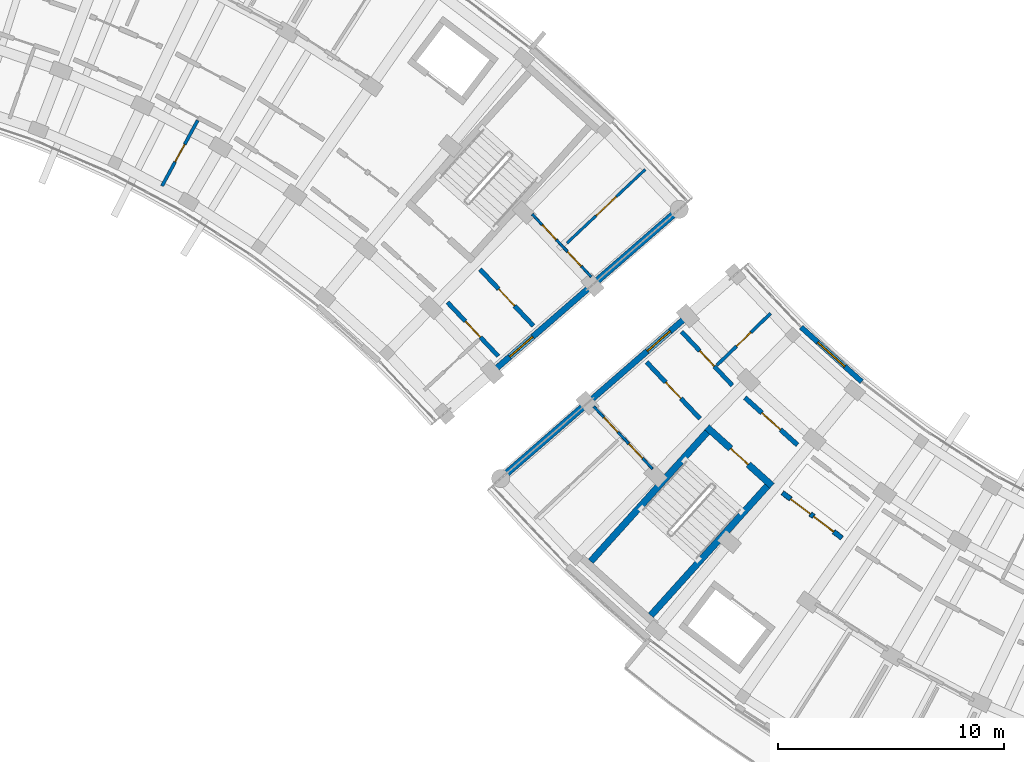
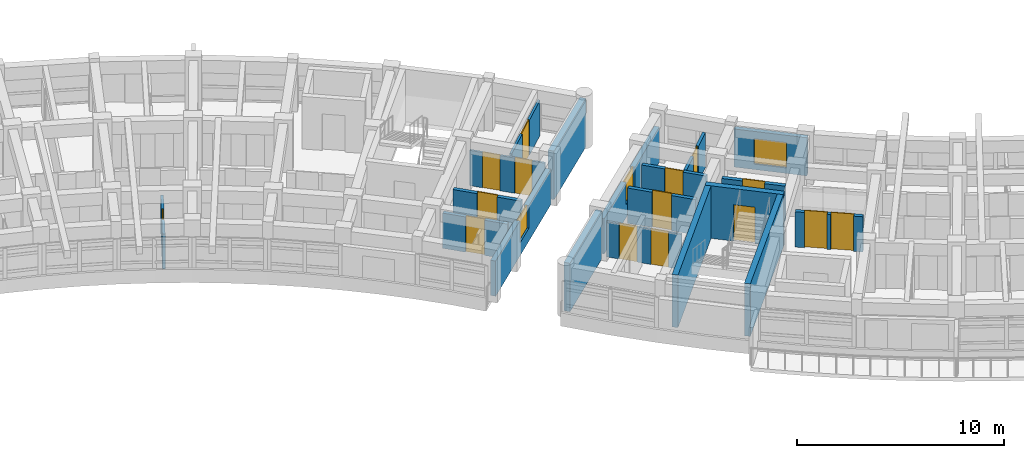
# One storey, part 49 of 70: 19 walls, 15 doors, 3 windows, 18 openings.
"""IFC4 building model written with IfcOpenShell, lengths in metres."""

from ifc_helpers import new_model, si_unit, direction, frame, frame_2d, origin, place, context, subcontext, project, spatial, rectangle, extrude, material, layer, layer_set, type_object, element, fill, save


model = new_model("IFC4")

# Units and contexts
model_context = context("Model", 3, precision=1e-05, world=origin(), true_north=direction((0.0, 1.0)))
body_context = subcontext(model_context, "Body", "Model", "MODEL_VIEW")
ifc_project = project(units=[si_unit("LENGTHUNIT", "METRE"), si_unit("AREAUNIT", "SQUARE_METRE"), si_unit("VOLUMEUNIT", "CUBIC_METRE"), si_unit("PLANEANGLEUNIT", "RADIAN"), si_unit("MASSUNIT", "GRAM", prefix="KILO")], contexts=[model_context])

# Site, building, storey
site_placement = place(None, origin())
site = spatial("IfcSite", under=ifc_project, at=site_placement, CompositionType="ELEMENT")
building_placement = place(site_placement, origin())
building = spatial("IfcBuilding", under=site, at=building_placement, Name="Zimvara Arc Housing Community", CompositionType="ELEMENT")
storey_placement = place(building_placement, frame((0.0, 0.0, 8.10009765625)))
storey = spatial("IfcBuildingStorey", under=building, at=storey_placement, Name="L02", CompositionType="ELEMENT", Elevation=8.10009765625)

# Wall, opening, window
ifc_material_1 = material(Name="Board-Marked Fair-Faced Concrete C35/45", Category="concrete")
ifc_layer_1 = layer(ifc_material_1, 0.22998046875)
ifc_layer_set_1 = layer_set([ifc_layer_1], Name="Board-Marked Fair-Faced Concrete C35/45")
wall_type_1 = type_object("IfcWallType", Name="EWL-CONC-230", PredefinedType="SOLIDWALL", material=ifc_layer_set_1)
wall_1_placement = place(storey_placement, frame((94.8203125, 77.92333984375, 0.0), z_axis=(0.0, 0.0, 1.0), x_axis=(0.743385092197, -0.668863666751, 0.0)))
wall_1 = element("IfcWall", 1, at=wall_1_placement, inside=storey, type_object=wall_type_1, Name="ewall:blkC:L02:in:b1", PredefinedType="SOLIDWALL", context=body_context, shape_type="SweptSolid", body=[
    extrude(rectangle(XDim=3.603759765625, YDim=0.22998046875, at=frame_2d((1.8017578125, 0.0))), origin(), (0.0, 0.0, 1.0), 2.25),
])
opening_1_placement = place(wall_1_placement, frame((1.001708984375, 0.0, 0.320068359375)))
opening_1 = element("IfcOpeningElement", 2, at=opening_1_placement, cuts=wall_1, Name="Opening W03", PredefinedType="OPENING", context=body_context, shape_type="SweptSolid", body=[
    extrude(rectangle(XDim=1.60009765625, YDim=1.5, at=frame_2d((0.800048828125, 0.75))), frame((0.0, 0.125, 0.0), z_axis=(0.0, -1.0, 0.0), x_axis=(1.0, 0.0, 0.0)), (0.0, 0.0, 1.0), 0.25),
])
ifc_material_2 = material(Name="Solar Control Low-E Double Glazing", Category="glass")
window_type_1 = type_object("IfcWindowType", Name="WIN-RES-1600x1500", PartitioningType="DOUBLE_PANEL_VERTICAL", PredefinedType="WINDOW", material=ifc_material_2)
window_1_placement = place(opening_1_placement, origin())
window_1 = element("IfcWindow", 3, at=window_1_placement, inside=storey, type_object=window_type_1, Name="win:blkC:L02:in:b1", OverallHeight=1.5, OverallWidth=1.60009765625, PartitioningType="DOUBLE_PANEL_VERTICAL", PredefinedType="WINDOW", context=body_context, shape_type="SweptSolid", body=[
    extrude(rectangle(XDim=1.60009765625, YDim=1.5, at=frame_2d((0.800048828125, 0.75))), frame((0.0, 0.030029296875, 0.0), z_axis=(0.0, -1.0, 0.0), x_axis=(1.0, 0.0, 0.0)), (0.0, 0.0, 1.0), 0.06005859375),
])
fill(opening_1, window_1)

ifc_material_3 = material(Name="Board-Marked Fair-Faced Concrete C35/45", Category="concrete")
ifc_layer_2 = layer(ifc_material_3, 0.264892578125)
ifc_layer_set_2 = layer_set([ifc_layer_2], Name="Board-Marked Fair-Faced Concrete C35/45")
wall_type_2 = type_object("IfcWallType", Name="EWL-CONC-265", PredefinedType="SOLIDWALL", material=ifc_layer_set_2)
wall_2_placement = place(storey_placement, frame((79.233642578125, 74.2587890625, 0.0), z_axis=(0.0, 0.0, 1.0), x_axis=(0.754717680958, 0.656049710044, 0.0)))
wall_2 = element("IfcWall", 4, at=wall_2_placement, inside=storey, type_object=wall_type_2, Name="ewall:blkB:L02:gN", PredefinedType="SOLIDWALL", context=body_context, shape_type="SweptSolid", body=[
    extrude(rectangle(XDim=8.199951171875, YDim=0.264892578125, at=frame_2d((4.10009765625, 0.0))), origin(), (0.0, 0.0, 1.0), 2.079833984375),
])
opening_2_placement = place(wall_2_placement, frame((3.590087890625, 0.0, 0.75)))
opening_2 = element("IfcOpeningElement", 5, at=opening_2_placement, cuts=wall_2, Name="Opening W12", PredefinedType="OPENING", context=body_context, shape_type="SweptSolid", body=[
    extrude(rectangle(XDim=1.35009765625, YDim=1.35009765625, at=frame_2d((0.675048828125, 0.675048828125))), frame((0.0, 0.142333984375, 0.0), z_axis=(0.0, -1.0, 0.0), x_axis=(1.0, 0.0, 0.0)), (0.0, 0.0, 1.0), 0.284912109375),
])
ifc_material_4 = material(Name="Solar Control Low-E Double Glazing", Category="glass")
window_type_2 = type_object("IfcWindowType", Name="WIN-RES-1350x1350", PartitioningType="DOUBLE_PANEL_VERTICAL", PredefinedType="WINDOW", material=ifc_material_4)
window_2_placement = place(opening_2_placement, origin())
window_2 = element("IfcWindow", 6, at=window_2_placement, inside=storey, type_object=window_type_2, Name="win:blkB:L02:gN:w", OverallHeight=1.35009765625, OverallWidth=1.35009765625, PartitioningType="DOUBLE_PANEL_VERTICAL", PredefinedType="WINDOW", context=body_context, shape_type="SweptSolid", body=[
    extrude(rectangle(XDim=1.35009765625, YDim=1.35009765625, at=frame_2d((0.675048828125, 0.675048828125))), frame((0.0, 0.030029296875, 0.0), z_axis=(0.0, -1.0, 0.0), x_axis=(1.0, 0.0, 0.0)), (0.0, 0.0, 1.0), 0.06005859375),
])
fill(opening_2, window_2)

wall_3_placement = place(storey_placement, frame((91.746337890625, 80.10107421875, 0.0), z_axis=(0.0, 0.0, 1.0), x_axis=(-0.754704866158, -0.656064451862, 0.0)))
wall_3 = element("IfcWall", 7, at=wall_3_placement, inside=storey, type_object=wall_type_2, Name="ewall:blkC:L02:g0", PredefinedType="SOLIDWALL", context=body_context, shape_type="SweptSolid", body=[
    extrude(rectangle(XDim=8.199951171875, YDim=0.264892578125, at=frame_2d((4.10009765625, 0.0))), origin(), (0.0, 0.0, 1.0), 2.079833984375),
])
opening_3_placement = place(wall_3_placement, frame((3.590087890625, 0.0, 0.75)))
opening_3 = element("IfcOpeningElement", 8, at=opening_3_placement, cuts=wall_3, Name="Opening W12", PredefinedType="OPENING", context=body_context, shape_type="SweptSolid", body=[
    extrude(rectangle(XDim=1.35009765625, YDim=1.35009765625, at=frame_2d((0.675048828125, 0.675048828125))), frame((0.0, 0.142333984375, 0.0), z_axis=(0.0, -1.0, 0.0), x_axis=(1.0, 0.0, 0.0)), (0.0, 0.0, 1.0), 0.284912109375),
])
window_3_placement = place(opening_3_placement, origin())
window_3 = element("IfcWindow", 9, at=window_3_placement, inside=storey, type_object=window_type_2, Name="win:blkC:L02:g0:w", OverallHeight=1.35009765625, OverallWidth=1.35009765625, PartitioningType="DOUBLE_PANEL_VERTICAL", PredefinedType="WINDOW", context=body_context, shape_type="SweptSolid", body=[
    extrude(rectangle(XDim=1.35009765625, YDim=1.35009765625, at=frame_2d((0.675048828125, 0.675048828125))), frame((0.0, 0.030029296875, 0.0), z_axis=(0.0, -1.0, 0.0), x_axis=(1.0, 0.0, 0.0)), (0.0, 0.0, 1.0), 0.06005859375),
])
fill(opening_3, window_3)

# Wall, opening, door
ifc_material_5 = material(Name="Concrete C35/45", Category="concrete")
ifc_layer_3 = layer(ifc_material_5, 0.2099609375)
ifc_layer_set_3 = layer_set([ifc_layer_3], Name="Concrete C35/45")
wall_type_3 = type_object("IfcWallType", Name="IWL-CCF-210", PredefinedType="SOLIDWALL", material=ifc_layer_set_3)
wall_4_placement = place(storey_placement, frame((92.337158203125, 74.808349609375, 0.0), z_axis=(0.0, 0.0, 1.0), x_axis=(0.743348465558, -0.668904371904, 0.0)))
wall_4 = element("IfcWall", 10, at=wall_4_placement, inside=storey, type_object=wall_type_3, Name="iwall:blkC:L02:ccf_div:b1", PredefinedType="SOLIDWALL", context=body_context, shape_type="SweptSolid", body=[
    extrude(rectangle(XDim=3.128662109375, YDim=0.2099609375, at=frame_2d((1.564453125, 0.0))), origin(), (0.0, 0.0, 1.0), 2.079833984375),
])
opening_4_placement = place(wall_4_placement, frame((1.014404296875, 0.0, 0.0)))
opening_4 = element("IfcOpeningElement", 11, at=opening_4_placement, cuts=wall_4, Name="Opening FD-CCF1", PredefinedType="OPENING", context=body_context, shape_type="SweptSolid", body=[
    extrude(rectangle(XDim=1.10009765625, YDim=2.14990234375, at=frame_2d((0.550048828125, 1.074951171875))), frame((0.0, 0.114990234375, 0.0), z_axis=(0.0, -1.0, 0.0), x_axis=(1.0, 0.0, 0.0)), (0.0, 0.0, 1.0), 0.22998046875),
])
ifc_material_6 = material(Name="Anodised Aluminium AW-6063", Category="aluminium")
door_type_1 = type_object("IfcDoorType", Name="IDR-CCF-1100x2150", OperationType="NOTDEFINED", PredefinedType="DOOR", material=ifc_material_6)
door_1_placement = place(opening_4_placement, origin())
door_1 = element("IfcDoor", 12, at=door_1_placement, inside=storey, type_object=door_type_1, Name="idoor:blkC:L02:ccf_in:b1", OperationType="SINGLE_SWING_LEFT", OverallHeight=2.14990234375, OverallWidth=1.10009765625, PredefinedType="DOOR", context=body_context, shape_type="SweptSolid", body=[
    extrude(rectangle(XDim=1.10009765625, YDim=2.14990234375, at=frame_2d((0.550048828125, 1.074951171875))), frame((0.0, 0.02490234375, 0.0), z_axis=(0.0, -1.0, 0.0), x_axis=(1.0, 0.0, 0.0)), (0.0, 0.0, 1.0), 0.050048828125),
])
fill(opening_4, door_1)

# Wall, openings, doors
wall_5_placement = place(storey_placement, frame((94.001220703125, 70.6015625, 0.0), z_axis=(0.0, 0.0, 1.0), x_axis=(0.795498026433, -0.605956178235, 0.0)))
wall_5 = element("IfcWall", 13, at=wall_5_placement, inside=storey, type_object=wall_type_3, Name="iwall:blkC:L02:ll_div:b2", PredefinedType="SOLIDWALL", context=body_context, shape_type="SweptSolid", body=[
    extrude(rectangle(XDim=3.296142578125, YDim=0.2099609375, at=frame_2d((1.64794921875, 0.0))), origin(), (0.0, 0.0, 1.0), 2.079833984375),
])
opening_5_placement = place(wall_5_placement, frame((0.449951171875, 0.0, 0.0)))
opening_5 = element("IfcOpeningElement", 14, at=opening_5_placement, cuts=wall_5, Name="Opening FD-CCF1", PredefinedType="OPENING", context=body_context, shape_type="SweptSolid", body=[
    extrude(rectangle(XDim=1.10009765625, YDim=2.14990234375, at=frame_2d((0.550048828125, 1.074951171875))), frame((0.0, 0.114990234375, 0.0), z_axis=(0.0, -1.0, 0.0), x_axis=(1.0, 0.0, 0.0)), (0.0, 0.0, 1.0), 0.22998046875),
])
opening_6_placement = place(wall_5_placement, frame((1.72607421875, 0.0, 0.0)))
opening_6 = element("IfcOpeningElement", 15, at=opening_6_placement, cuts=wall_5, Name="Opening D07", PredefinedType="OPENING", context=body_context, shape_type="SweptSolid", body=[
    extrude(rectangle(XDim=1.1201171875, YDim=2.14990234375, at=frame_2d((0.56005859375, 1.074951171875))), frame((0.0, 0.114990234375, 0.0), z_axis=(0.0, -1.0, 0.0), x_axis=(1.0, 0.0, 0.0)), (0.0, 0.0, 1.0), 0.22998046875),
])
ifc_material_7 = material(Name="Mozambican Hardwood", Category="wood")
door_type_2 = type_object("IfcDoorType", Name="IDR-AMN-1120x2150", OperationType="NOTDEFINED", PredefinedType="DOOR", material=ifc_material_7)
door_2_placement = place(opening_6_placement, origin())
door_2 = element("IfcDoor", 16, at=door_2_placement, inside=storey, type_object=door_type_2, Name="idoor:blkC:L02:rs_in:b2", OperationType="SINGLE_SWING_LEFT", OverallHeight=2.14990234375, OverallWidth=1.1201171875, PredefinedType="DOOR", context=body_context, shape_type="SweptSolid", body=[
    extrude(rectangle(XDim=1.1201171875, YDim=2.14990234375, at=frame_2d((0.56005859375, 1.074951171875))), frame((0.0, 0.02490234375, 0.0), z_axis=(0.0, -1.0, 0.0), x_axis=(1.0, 0.0, 0.0)), (0.0, 0.0, 1.0), 0.050048828125),
])
fill(opening_6, door_2)
door_3_placement = place(opening_5_placement, origin())
door_3 = element("IfcDoor", 17, at=door_3_placement, inside=storey, type_object=door_type_1, Name="idoor:blkC:L02:ll_in:b2", OperationType="SINGLE_SWING_RIGHT", OverallHeight=2.14990234375, OverallWidth=1.10009765625, PredefinedType="DOOR", context=body_context, shape_type="SweptSolid", body=[
    extrude(rectangle(XDim=1.10009765625, YDim=2.14990234375, at=frame_2d((0.550048828125, 1.074951171875))), frame((0.0, 0.02490234375, 0.0), z_axis=(0.0, -1.0, 0.0), x_axis=(1.0, 0.0, 0.0)), (0.0, 0.0, 1.0), 0.050048828125),
])
fill(opening_5, door_3)

# Wall, opening, door
ifc_material_8 = material(Name="Concrete C35/45", Category="concrete")
ifc_layer_4 = layer(ifc_material_8, 0.18994140625)
ifc_layer_set_4 = layer_set([ifc_layer_4], Name="Concrete C35/45")
wall_type_4 = type_object("IfcWallType", Name="IWL-CORR-190", PredefinedType="SOLIDWALL", material=ifc_layer_set_4)
wall_6_placement = place(storey_placement, frame((79.1953125, 79.016357421875, 0.0), z_axis=(0.0, 0.0, 1.0), x_axis=(0.686307658735, -0.727311348434, 0.0)))
wall_6 = element("IfcWall", 18, at=wall_6_placement, inside=storey, type_object=wall_type_4, Name="iwall:blkB:L02:corr_in:b9", PredefinedType="SOLIDWALL", context=body_context, shape_type="SweptSolid", body=[
    extrude(rectangle(XDim=3.268798828125, YDim=0.18994140625, at=frame_2d((1.63427734375, 0.0))), origin(), (0.0, 0.0, 1.0), 2.079833984375),
])
opening_7_placement = place(wall_6_placement, frame((1.154296875, 0.0, 0.0)))
opening_7 = element("IfcOpeningElement", 19, at=opening_7_placement, cuts=wall_6, Name="Opening D04", PredefinedType="OPENING", context=body_context, shape_type="SweptSolid", body=[
    extrude(rectangle(XDim=0.9599609375, YDim=2.10009765625, at=frame_2d((0.47998046875, 1.050048828125))), frame((0.0, 0.10498046875, 0.0), z_axis=(0.0, -1.0, 0.0), x_axis=(1.0, 0.0, 0.0)), (0.0, 0.0, 1.0), 0.2099609375),
])
ifc_material_9 = material(Name="Mozambican Hardwood", Category="wood")
door_type_3 = type_object("IfcDoorType", Name="IDR-RM-0960x2100", OperationType="NOTDEFINED", PredefinedType="DOOR", material=ifc_material_9)
door_4_placement = place(opening_7_placement, origin())
door_4 = element("IfcDoor", 20, at=door_4_placement, inside=storey, type_object=door_type_3, Name="idoor:blkB:L02:in_rm:b9", OperationType="SINGLE_SWING_RIGHT", OverallHeight=2.10009765625, OverallWidth=0.9599609375, PredefinedType="DOOR", context=body_context, shape_type="SweptSolid", body=[
    extrude(rectangle(XDim=0.9599609375, YDim=2.10009765625, at=frame_2d((0.47998046875, 1.050048828125))), frame((0.0, 0.02490234375, 0.0), z_axis=(0.0, -1.0, 0.0), x_axis=(1.0, 0.0, 0.0)), (0.0, 0.0, 1.0), 0.050048828125),
])
fill(opening_7, door_4)

wall_7_placement = place(storey_placement, frame((89.541259765625, 77.720947265625, 0.0), z_axis=(0.0, 0.0, 1.0), x_axis=(0.686344941052, -0.727276166179, 0.0)))
wall_7 = element("IfcWall", 21, at=wall_7_placement, inside=storey, type_object=wall_type_4, Name="iwall:blkC:L02:corr_in:b0", PredefinedType="SOLIDWALL", context=body_context, shape_type="SweptSolid", body=[
    extrude(rectangle(XDim=3.2685546875, YDim=0.18994140625, at=frame_2d((1.63427734375, 0.0))), origin(), (0.0, 0.0, 1.0), 2.079833984375),
])
opening_8_placement = place(wall_7_placement, frame((1.164306640625, 0.0, 0.0)))
opening_8 = element("IfcOpeningElement", 22, at=opening_8_placement, cuts=wall_7, Name="Opening D03", PredefinedType="OPENING", context=body_context, shape_type="SweptSolid", body=[
    extrude(rectangle(XDim=0.93994140625, YDim=2.10009765625, at=frame_2d((0.469970703125, 1.050048828125))), frame((0.0, 0.10498046875, 0.0), z_axis=(0.0, -1.0, 0.0), x_axis=(1.0, 0.0, 0.0)), (0.0, 0.0, 1.0), 0.2099609375),
])
ifc_material_10 = material(Name="Mozambican Hardwood", Category="wood")
door_type_4 = type_object("IfcDoorType", Name="IDR-RM-0940x2100", OperationType="NOTDEFINED", PredefinedType="DOOR", material=ifc_material_10)
door_5_placement = place(opening_8_placement, origin())
door_5 = element("IfcDoor", 23, at=door_5_placement, inside=storey, type_object=door_type_4, Name="idoor:blkC:L02:in_rm:b0", OperationType="SINGLE_SWING_RIGHT", OverallHeight=2.10009765625, OverallWidth=0.93994140625, PredefinedType="DOOR", context=body_context, shape_type="SweptSolid", body=[
    extrude(rectangle(XDim=0.93994140625, YDim=2.10009765625, at=frame_2d((0.469970703125, 1.050048828125))), frame((0.0, 0.02490234375, 0.0), z_axis=(0.0, -1.0, 0.0), x_axis=(1.0, 0.0, 0.0)), (0.0, 0.0, 1.0), 0.050048828125),
])
fill(opening_8, door_5)

ifc_material_11 = material(Name="Concrete C35/45", Category="concrete")
ifc_layer_5 = layer(ifc_material_11, 0.199951171875)
ifc_layer_set_5 = layer_set([ifc_layer_5], Name="Concrete C35/45")
wall_type_5 = type_object("IfcWallType", Name="IWL-CORR-200", PredefinedType="SOLIDWALL", material=ifc_layer_set_5)
wall_8_placement = place(storey_placement, frame((80.627685546875, 80.48291015625, 0.0), z_axis=(0.0, 0.0, 1.0), x_axis=(0.686310507227, -0.727308660522, 0.0)))
wall_8 = element("IfcWall", 24, at=wall_8_placement, inside=storey, type_object=wall_type_5, Name="iwall:blkB:L02:corr_out:b9", PredefinedType="SOLIDWALL", context=body_context, shape_type="SweptSolid", body=[
    extrude(rectangle(XDim=3.43603515625, YDim=0.199951171875, at=frame_2d((1.718017578125, 0.0))), origin(), (0.0, 0.0, 1.0), 2.079833984375),
])
opening_9_placement = place(wall_8_placement, frame((1.2080078125, 0.0, 0.0)))
opening_9 = element("IfcOpeningElement", 25, at=opening_9_placement, cuts=wall_8, Name="Opening FD-FL2", PredefinedType="OPENING", context=body_context, shape_type="SweptSolid", body=[
    extrude(rectangle(XDim=1.02001953125, YDim=2.14990234375, at=frame_2d((0.510009765625, 1.074951171875))), frame((0.0, 0.10986328125, 0.0), z_axis=(0.0, -1.0, 0.0), x_axis=(1.0, 0.0, 0.0)), (0.0, 0.0, 1.0), 0.219970703125),
])
ifc_material_12 = material(Name="Mozambican Hardwood", Category="wood")
door_type_5 = type_object("IfcDoorType", Name="IDR-FLAT-1020x2150", OperationType="NOTDEFINED", PredefinedType="DOOR", material=ifc_material_12)
door_6_placement = place(opening_9_placement, origin())
door_6 = element("IfcDoor", 26, at=door_6_placement, inside=storey, type_object=door_type_5, Name="idoor:blkB:L02:flat:b9", OperationType="SINGLE_SWING_LEFT", OverallHeight=2.14990234375, OverallWidth=1.02001953125, PredefinedType="DOOR", context=body_context, shape_type="SweptSolid", body=[
    extrude(rectangle(XDim=1.02001953125, YDim=2.14990234375, at=frame_2d((0.510009765625, 1.074951171875))), frame((0.0, 0.02490234375, 0.0), z_axis=(0.0, -1.0, 0.0), x_axis=(1.0, 0.0, 0.0)), (0.0, 0.0, 1.0), 0.050048828125),
])
fill(opening_9, door_6)

wall_9_placement = place(storey_placement, frame((87.994140625, 76.3759765625, 0.0), z_axis=(0.0, 0.0, 1.0), x_axis=(0.686310507227, -0.727308660522, 0.0)))
wall_9 = element("IfcWall", 27, at=wall_9_placement, inside=storey, type_object=wall_type_5, Name="iwall:blkC:L02:corr_out:b0", PredefinedType="SOLIDWALL", context=body_context, shape_type="SweptSolid", body=[
    extrude(rectangle(XDim=3.43603515625, YDim=0.199951171875, at=frame_2d((1.718017578125, 0.0))), origin(), (0.0, 0.0, 1.0), 2.079833984375),
])
opening_10_placement = place(wall_9_placement, frame((1.22802734375, 0.0, 0.0)))
opening_10 = element("IfcOpeningElement", 28, at=opening_10_placement, cuts=wall_9, Name="Opening FD-FL1", PredefinedType="OPENING", context=body_context, shape_type="SweptSolid", body=[
    extrude(rectangle(XDim=0.97998046875, YDim=2.14990234375, at=frame_2d((0.489990234375, 1.074951171875))), frame((0.0, 0.10986328125, 0.0), z_axis=(0.0, -1.0, 0.0), x_axis=(1.0, 0.0, 0.0)), (0.0, 0.0, 1.0), 0.219970703125),
])
ifc_material_13 = material(Name="Mozambican Hardwood", Category="wood")
door_type_6 = type_object("IfcDoorType", Name="IDR-FLAT-0980x2150", OperationType="NOTDEFINED", PredefinedType="DOOR", material=ifc_material_13)
door_7_placement = place(opening_10_placement, origin())
door_7 = element("IfcDoor", 29, at=door_7_placement, inside=storey, type_object=door_type_6, Name="idoor:blkC:L02:flat:b0", OperationType="SINGLE_SWING_LEFT", OverallHeight=2.14990234375, OverallWidth=0.97998046875, PredefinedType="DOOR", context=body_context, shape_type="SweptSolid", body=[
    extrude(rectangle(XDim=0.97998046875, YDim=2.14990234375, at=frame_2d((0.489990234375, 1.074951171875))), frame((0.0, 0.02490234375, 0.0), z_axis=(0.0, -1.0, 0.0), x_axis=(1.0, 0.0, 0.0)), (0.0, 0.0, 1.0), 0.050048828125),
])
fill(opening_10, door_7)

# Wall, openings, doors
ifc_material_14 = material(Name="Painted Acoustic Plasterboard")
ifc_layer_6 = layer(ifc_material_14, 0.110107421875)
ifc_layer_set_6 = layer_set([ifc_layer_6], Name="Painted Acoustic Plasterboard")
wall_type_6 = type_object("IfcWallType", Name="IWL-PART-110", PredefinedType="PARTITIONING", material=ifc_layer_set_6)
wall_10_placement = place(storey_placement, frame((82.933837890625, 82.916015625, 0.0), z_axis=(0.0, 0.0, 1.0), x_axis=(0.686301674417, -0.727316995327, 0.0)))
wall_10 = element("IfcWall", 30, at=wall_10_placement, inside=storey, type_object=wall_type_6, Name="iwall:blkB:L02:srv:b9", PredefinedType="PARTITIONING", context=body_context, shape_type="SweptSolid", body=[
    extrude(rectangle(XDim=3.8095703125, YDim=0.110107421875, at=frame_2d((1.90478515625, 0.0))), origin(), (0.0, 0.0, 1.0), 2.079833984375),
])
opening_11_placement = place(wall_10_placement, frame((0.64990234375, 0.0, 0.0)))
opening_11 = element("IfcOpeningElement", 31, at=opening_11_placement, cuts=wall_10, Name="Opening D01", PredefinedType="OPENING", context=body_context, shape_type="SweptSolid", body=[
    extrude(rectangle(XDim=0.89990234375, YDim=2.10009765625, at=frame_2d((0.449951171875, 1.050048828125))), frame((0.0, 0.06494140625, 0.0), z_axis=(0.0, -1.0, 0.0), x_axis=(1.0, 0.0, 0.0)), (0.0, 0.0, 1.0), 0.130126953125),
])
opening_12_placement = place(wall_10_placement, frame((2.279541015625, 0.0, 0.0)))
opening_12 = element("IfcOpeningElement", 32, at=opening_12_placement, cuts=wall_10, Name="Opening D05", PredefinedType="OPENING", context=body_context, shape_type="SweptSolid", body=[
    extrude(rectangle(XDim=0.8798828125, YDim=2.10009765625, at=frame_2d((0.43994140625, 1.050048828125))), frame((0.0, 0.06494140625, 0.0), z_axis=(0.0, -1.0, 0.0), x_axis=(1.0, 0.0, 0.0)), (0.0, 0.0, 1.0), 0.130126953125),
])
ifc_material_15 = material(Name="Mozambican Hardwood", Category="wood")
door_type_7 = type_object("IfcDoorType", Name="IDR-RM-0900x2100", OperationType="NOTDEFINED", PredefinedType="DOOR", material=ifc_material_15)
door_8_placement = place(opening_11_placement, origin())
door_8 = element("IfcDoor", 33, at=door_8_placement, inside=storey, type_object=door_type_7, Name="idoor:blkB:L02:kit_liv:b9", OperationType="SINGLE_SWING_RIGHT", OverallHeight=2.10009765625, OverallWidth=0.89990234375, PredefinedType="DOOR", context=body_context, shape_type="SweptSolid", body=[
    extrude(rectangle(XDim=0.89990234375, YDim=2.10009765625, at=frame_2d((0.449951171875, 1.050048828125))), frame((0.0, 0.02490234375, 0.0), z_axis=(0.0, -1.0, 0.0), x_axis=(1.0, 0.0, 0.0)), (0.0, 0.0, 1.0), 0.050048828125),
])
fill(opening_11, door_8)
ifc_material_16 = material(Name="Mozambican Hardwood", Category="wood")
door_type_8 = type_object("IfcDoorType", Name="IDR-WC-0880x2100", OperationType="NOTDEFINED", PredefinedType="DOOR", material=ifc_material_16)
door_9_placement = place(opening_12_placement, origin())
door_9 = element("IfcDoor", 34, at=door_9_placement, inside=storey, type_object=door_type_8, Name="idoor:blkB:L02:bath_d:b9", OperationType="SINGLE_SWING_LEFT", OverallHeight=2.10009765625, OverallWidth=0.8798828125, PredefinedType="DOOR", context=body_context, shape_type="SweptSolid", body=[
    extrude(rectangle(XDim=0.8798828125, YDim=2.10009765625, at=frame_2d((0.43994140625, 1.050048828125))), frame((0.0, 0.02490234375, 0.0), z_axis=(0.0, -1.0, 0.0), x_axis=(1.0, 0.0, 0.0)), (0.0, 0.0, 1.0), 0.050048828125),
])
fill(opening_12, door_9)

wall_11_placement = place(storey_placement, frame((85.657958984375, 74.411376953125, 0.0), z_axis=(0.0, 0.0, 1.0), x_axis=(0.686364008772, -0.727258171121, 0.0)))
wall_11 = element("IfcWall", 35, at=wall_11_placement, inside=storey, type_object=wall_type_6, Name="iwall:blkC:L02:srv:b0", PredefinedType="PARTITIONING", context=body_context, shape_type="SweptSolid", body=[
    extrude(rectangle(XDim=3.784912109375, YDim=0.110107421875, at=frame_2d((1.892578125, 0.0))), origin(), (0.0, 0.0, 1.0), 2.079833984375),
])
opening_13_placement = place(wall_11_placement, frame((0.64990234375, 0.0, 0.0)))
opening_13 = element("IfcOpeningElement", 36, at=opening_13_placement, cuts=wall_11, Name="Opening D01", PredefinedType="OPENING", context=body_context, shape_type="SweptSolid", body=[
    extrude(rectangle(XDim=0.89990234375, YDim=2.10009765625, at=frame_2d((0.449951171875, 1.050048828125))), frame((0.0, 0.06494140625, 0.0), z_axis=(0.0, -1.0, 0.0), x_axis=(1.0, 0.0, 0.0)), (0.0, 0.0, 1.0), 0.130126953125),
])
opening_14_placement = place(wall_11_placement, frame((2.255126953125, 0.0, 0.0)))
opening_14 = element("IfcOpeningElement", 37, at=opening_14_placement, cuts=wall_11, Name="Opening D05", PredefinedType="OPENING", context=body_context, shape_type="SweptSolid", body=[
    extrude(rectangle(XDim=0.8798828125, YDim=2.10009765625, at=frame_2d((0.43994140625, 1.050048828125))), frame((0.0, 0.06494140625, 0.0), z_axis=(0.0, -1.0, 0.0), x_axis=(1.0, 0.0, 0.0)), (0.0, 0.0, 1.0), 0.130126953125),
])
door_10_placement = place(opening_13_placement, origin())
door_10 = element("IfcDoor", 38, at=door_10_placement, inside=storey, type_object=door_type_7, Name="idoor:blkC:L02:kit_liv:b0", OperationType="SINGLE_SWING_RIGHT", OverallHeight=2.10009765625, OverallWidth=0.89990234375, PredefinedType="DOOR", context=body_context, shape_type="SweptSolid", body=[
    extrude(rectangle(XDim=0.89990234375, YDim=2.10009765625, at=frame_2d((0.449951171875, 1.050048828125))), frame((0.0, 0.02490234375, 0.0), z_axis=(0.0, -1.0, 0.0), x_axis=(1.0, 0.0, 0.0)), (0.0, 0.0, 1.0), 0.050048828125),
])
fill(opening_13, door_10)
door_11_placement = place(opening_14_placement, origin())
door_11 = element("IfcDoor", 39, at=door_11_placement, inside=storey, type_object=door_type_8, Name="idoor:blkC:L02:bath_d:b0", OperationType="SINGLE_SWING_LEFT", OverallHeight=2.10009765625, OverallWidth=0.8798828125, PredefinedType="DOOR", context=body_context, shape_type="SweptSolid", body=[
    extrude(rectangle(XDim=0.8798828125, YDim=2.10009765625, at=frame_2d((0.43994140625, 1.050048828125))), frame((0.0, 0.02490234375, 0.0), z_axis=(0.0, -1.0, 0.0), x_axis=(1.0, 0.0, 0.0)), (0.0, 0.0, 1.0), 0.050048828125),
])
fill(opening_14, door_11)

# Wall, opening, door
ifc_material_17 = material(Name="Painted Acoustic Plasterboard")
ifc_layer_7 = layer(ifc_material_17, 0.1201171875)
ifc_layer_set_7 = layer_set([ifc_layer_7], Name="Painted Acoustic Plasterboard")
wall_type_7 = type_object("IfcWallType", Name="IWL-PART-120", PredefinedType="PARTITIONING", material=ifc_layer_set_7)
wall_12_placement = place(storey_placement, frame((84.475341796875, 81.639404296875, 0.0), z_axis=(0.0, 0.0, 1.0), x_axis=(0.728314662127, 0.685242842306, 0.0)))
wall_12 = element("IfcWall", 40, at=wall_12_placement, inside=storey, type_object=wall_type_7, Name="iwall:blkB:L02:bed_div:b9", PredefinedType="PARTITIONING", context=body_context, shape_type="SweptSolid", body=[
    extrude(rectangle(XDim=4.75, YDim=0.1201171875, at=frame_2d((2.375, 0.0))), origin(), (0.0, 0.0, 1.0), 2.079833984375),
])
opening_15_placement = place(wall_12_placement, frame((1.7548828125, 0.0, 0.0)))
opening_15 = element("IfcOpeningElement", 41, at=opening_15_placement, cuts=wall_12, Name="Opening D19", PredefinedType="OPENING", context=body_context, shape_type="SweptSolid", body=[
    extrude(rectangle(XDim=1.239990234375, YDim=2.10009765625, at=frame_2d((0.6201171875, 1.050048828125))), frame((0.0, 0.070068359375, 0.0), z_axis=(0.0, -1.0, 0.0), x_axis=(1.0, 0.0, 0.0)), (0.0, 0.0, 1.0), 0.14013671875),
])
ifc_material_18 = material(Name="Mozambican Hardwood", Category="wood")
door_type_9 = type_object("IfcDoorType", Name="IDR-MOD-1240x2180", OperationType="NOTDEFINED", PredefinedType="DOOR", material=ifc_material_18)
door_12_placement = place(opening_15_placement, origin())
door_12 = element("IfcDoor", 42, at=door_12_placement, inside=storey, type_object=door_type_9, Name="idoor:blkB:L02:bed_d:b9", OperationType="SINGLE_SWING_RIGHT", OverallHeight=2.10009765625, OverallWidth=1.239990234375, PredefinedType="DOOR", context=body_context, shape_type="SweptSolid", body=[
    extrude(rectangle(XDim=1.239990234375, YDim=2.10009765625, at=frame_2d((0.6201171875, 1.050048828125))), frame((0.0, 0.02490234375, 0.0), z_axis=(0.0, -1.0, 0.0), x_axis=(1.0, 0.0, 0.0)), (0.0, 0.0, 1.0), 0.050048828125),
])
fill(opening_15, door_12)

ifc_material_19 = material(Name="Painted Acoustic Plasterboard")
ifc_layer_8 = layer(ifc_material_19, 0.14501953125)
ifc_layer_set_8 = layer_set([ifc_layer_8], Name="Painted Acoustic Plasterboard")
wall_type_8 = type_object("IfcWallType", Name="IWL-WET-145", PredefinedType="PARTITIONING", material=ifc_layer_set_8)
wall_13_placement = place(storey_placement, frame((66.57470703125, 84.16162109375, 0.0), z_axis=(0.0, 0.0, 1.0), x_axis=(0.477841058477, 0.878446311868, 0.0)))
wall_13 = element("IfcWall", 43, at=wall_13_placement, inside=storey, type_object=wall_type_8, Name="iwall:blkB:L02:ens:b5", PredefinedType="PARTITIONING", context=body_context, shape_type="SweptSolid", body=[
    extrude(rectangle(XDim=3.300048828125, YDim=0.14501953125, at=frame_2d((1.64990234375, 0.0))), origin(), (0.0, 0.0, 1.0), 2.079833984375),
])
opening_16_placement = place(wall_13_placement, frame((1.2099609375, 0.0, 0.0)))
opening_16 = element("IfcOpeningElement", 44, at=opening_16_placement, cuts=wall_13, Name="Opening D05", PredefinedType="OPENING", context=body_context, shape_type="SweptSolid", body=[
    extrude(rectangle(XDim=0.8798828125, YDim=2.10009765625, at=frame_2d((0.43994140625, 1.050048828125))), frame((0.0, 0.08251953125, 0.0), z_axis=(0.0, -1.0, 0.0), x_axis=(1.0, 0.0, 0.0)), (0.0, 0.0, 1.0), 0.1650390625),
])
door_13_placement = place(opening_16_placement, origin())
door_13 = element("IfcDoor", 45, at=door_13_placement, inside=storey, type_object=door_type_8, Name="idoor:blkB:L02:ens_d:b5", OperationType="SINGLE_SWING_RIGHT", OverallHeight=2.10009765625, OverallWidth=0.8798828125, PredefinedType="DOOR", context=body_context, shape_type="SweptSolid", body=[
    extrude(rectangle(XDim=0.8798828125, YDim=2.10009765625, at=frame_2d((0.43994140625, 1.050048828125))), frame((0.0, 0.02490234375, 0.0), z_axis=(0.0, -1.0, 0.0), x_axis=(1.0, 0.0, 0.0)), (0.0, 0.0, 1.0), 0.050048828125),
])
fill(opening_16, door_13)

wall_14_placement = place(storey_placement, frame((93.4716796875, 78.527587890625, 0.0), z_axis=(0.0, 0.0, 1.0), x_axis=(-0.720006650938, -0.693967162483, 0.0)))
wall_14 = element("IfcWall", 46, at=wall_14_placement, inside=storey, type_object=wall_type_8, Name="iwall:blkC:L02:ens:b0", PredefinedType="PARTITIONING", context=body_context, shape_type="SweptSolid", body=[
    extrude(rectangle(XDim=3.30029296875, YDim=0.14501953125, at=frame_2d((1.650146484375, 0.0))), origin(), (0.0, 0.0, 1.0), 2.079833984375),
])
opening_17_placement = place(wall_14_placement, frame((1.2099609375, 0.0, 0.0)))
opening_17 = element("IfcOpeningElement", 47, at=opening_17_placement, cuts=wall_14, Name="Opening D05", PredefinedType="OPENING", context=body_context, shape_type="SweptSolid", body=[
    extrude(rectangle(XDim=0.8798828125, YDim=2.10009765625, at=frame_2d((0.43994140625, 1.050048828125))), frame((0.0, 0.08251953125, 0.0), z_axis=(0.0, -1.0, 0.0), x_axis=(1.0, 0.0, 0.0)), (0.0, 0.0, 1.0), 0.1650390625),
])
door_14_placement = place(opening_17_placement, origin())
door_14 = element("IfcDoor", 48, at=door_14_placement, inside=storey, type_object=door_type_8, Name="idoor:blkC:L02:ens_d:b0", OperationType="SINGLE_SWING_LEFT", OverallHeight=2.10009765625, OverallWidth=0.8798828125, PredefinedType="DOOR", context=body_context, shape_type="SweptSolid", body=[
    extrude(rectangle(XDim=0.8798828125, YDim=2.10009765625, at=frame_2d((0.43994140625, 1.050048828125))), frame((0.0, 0.02490234375, 0.0), z_axis=(0.0, -1.0, 0.0), x_axis=(1.0, 0.0, 0.0)), (0.0, 0.0, 1.0), 0.050048828125),
])
fill(opening_17, door_14)

ifc_material_20 = material(Name="Concrete C40/50", Category="concrete")
ifc_layer_9 = layer(ifc_material_20, 0.300048828125)
ifc_layer_set_9 = layer_set([ifc_layer_9], Name="Concrete C40/50")
wall_type_9 = type_object("IfcWallType", Name="WL-CORE-300", PredefinedType="SHEAR", material=ifc_layer_set_9)
wall_15_placement = place(storey_placement, frame((90.659912109375, 73.49853515625, 0.0), z_axis=(0.0, 0.0, 1.0), x_axis=(0.743375696158, -0.668874109501, 0.0)))
wall_15 = element("IfcWall", 49, at=wall_15_placement, inside=storey, type_object=wall_type_9, Name="cwall:ST-C1:L02:near", PredefinedType="SHEAR", context=body_context, shape_type="SweptSolid", body=[
    extrude(rectangle(XDim=3.8701171875, YDim=0.300048828125, at=frame_2d((1.93505859375, 0.0))), origin(), (0.0, 0.0, 1.0), 3.099853515625),
])
opening_18_placement = place(wall_15_placement, frame((1.409912109375, 0.0, 0.0)))
opening_18 = element("IfcOpeningElement", 50, at=opening_18_placement, cuts=wall_15, Name="Opening FD-ST2", PredefinedType="OPENING", context=body_context, shape_type="SweptSolid", body=[
    extrude(rectangle(XDim=1.050048828125, YDim=2.14990234375, at=frame_2d((0.52490234375, 1.074951171875))), frame((0.0, 0.159912109375, 0.0), z_axis=(0.0, -1.0, 0.0), x_axis=(1.0, 0.0, 0.0)), (0.0, 0.0, 1.0), 0.320068359375),
])
ifc_material_21 = material(Name="Anodised Aluminium AW-6063", Category="aluminium")
door_type_10 = type_object("IfcDoorType", Name="IDR-ST-1050x2150", OperationType="NOTDEFINED", PredefinedType="DOOR", material=ifc_material_21)
door_15_placement = place(opening_18_placement, origin())
door_15 = element("IfcDoor", 51, at=door_15_placement, inside=storey, type_object=door_type_10, Name="idoor:ST-C1:L02:entry", OperationType="SINGLE_SWING_RIGHT", OverallHeight=2.14990234375, OverallWidth=1.050048828125, PredefinedType="DOOR", context=body_context, shape_type="SweptSolid", body=[
    extrude(rectangle(XDim=1.050048828125, YDim=2.14990234375, at=frame_2d((0.52490234375, 1.074951171875))), frame((0.0, 0.02490234375, 0.0), z_axis=(0.0, -1.0, 0.0), x_axis=(1.0, 0.0, 0.0)), (0.0, 0.0, 1.0), 0.050048828125),
])
fill(opening_18, door_15)

# Walls
wall_16_placement = place(storey_placement, frame((90.671142578125, 73.28662109375, 0.0), z_axis=(0.0, 0.0, 1.0), x_axis=(-0.668885797871, -0.743365179038, 0.0)))
element("IfcWall", 52, at=wall_16_placement, inside=storey, type_object=wall_type_9, Name="cwall:ST-C1:L02:left", PredefinedType="SHEAR", context=body_context, shape_type="SweptSolid", body=[
    extrude(rectangle(XDim=7.690185546875, YDim=0.300048828125, at=frame_2d((3.84521484375, 0.0))), origin(), (0.0, 0.0, 1.0), 3.099853515625),
])
wall_17_placement = place(storey_placement, frame((93.324951171875, 70.898681640625, 0.0), z_axis=(0.0, 0.0, 1.0), x_axis=(-0.668868253964, -0.743380964808, 0.0)))
element("IfcWall", 53, at=wall_17_placement, inside=storey, type_object=wall_type_9, Name="cwall:ST-C1:L02:right", PredefinedType="SHEAR", context=body_context, shape_type="SweptSolid", body=[
    extrude(rectangle(XDim=7.68994140625, YDim=0.300048828125, at=frame_2d((3.844970703125, 0.0))), origin(), (0.0, 0.0, 1.0), 3.099853515625),
])
ifc_material_22 = material(Name="Concrete C40/50", Category="concrete")
ifc_layer_10 = layer(ifc_material_22, 0.31005859375)
ifc_layer_set_10 = layer_set([ifc_layer_10], Name="Concrete C40/50")
wall_type_10 = type_object("IfcWallType", Name="WL-SHEAR-310", PredefinedType="SHEAR", material=ifc_layer_set_10)
for number, where, z_axis, x_axis, name in (
    (54, (85.7392578125, 79.9140625, 0.0), (0.0, 0.0, 1.0), (0.754703505217, 0.65606601742, 0.0), "swall:blkB:L02:east"),
    (55, (85.24072265625, 74.446044921875, 0.0), (0.0, 0.0, 1.0), (-0.754703505217, -0.65606601742, 0.0), "swall:blkC:L02:west"),
):
    element("IfcWall", number, at=place(storey_placement, frame(where, z_axis=z_axis, x_axis=x_axis)), inside=storey, type_object=wall_type_10, Name=name, PredefinedType="SHEAR", context=body_context, shape_type="SweptSolid", body=[
        extrude(rectangle(XDim=4.719970703125, YDim=0.31005859375, at=frame_2d((2.35986328125, 0.0))), origin(), (0.0, 0.0, 1.0), 2.85986328125),
    ])

save(model, "model.ifc")
